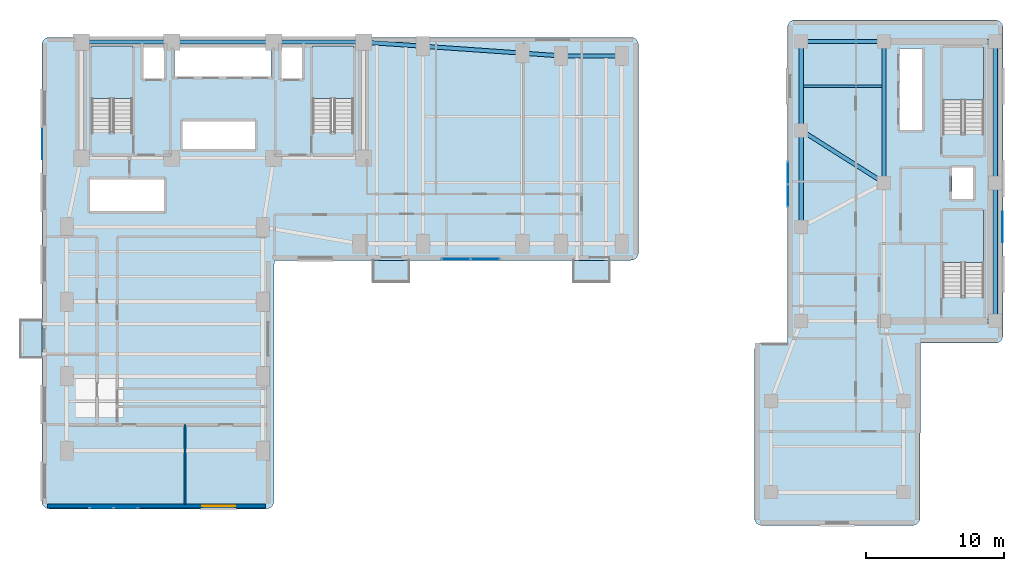
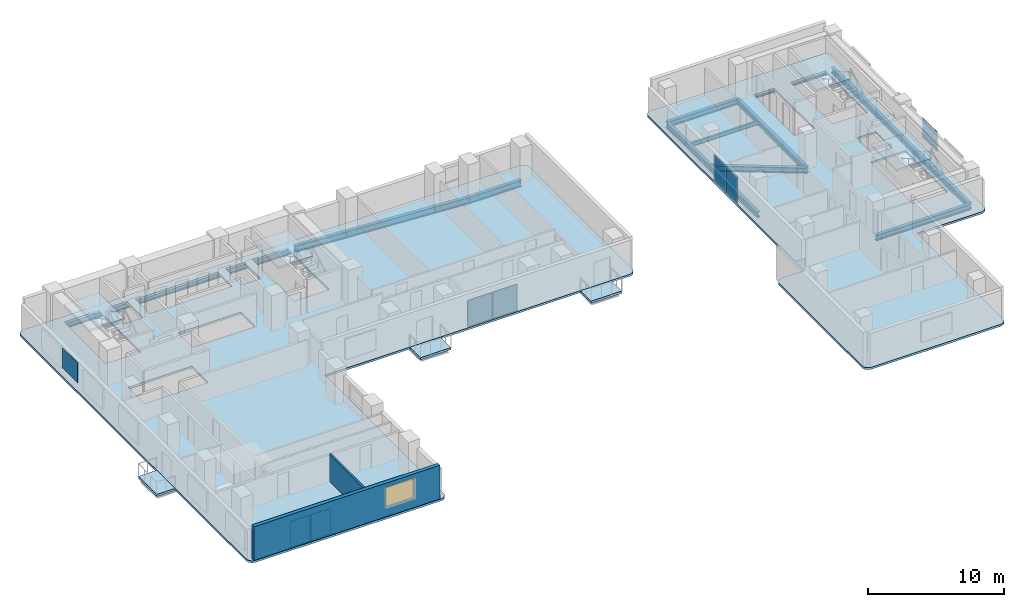
# One storey, part 9 of 17: 17 beams, 9 slabs, 8 plates, 2 walls, 1 window, 1 opening, 7 elements without a shape of their own.
"""IFC4 building model written with IfcOpenShell, lengths in metres."""

from ifc_helpers import new_model, si_unit, direction, frame, frame_2d, origin, origin_2d, place, context, subcontext, project, spatial, polyline, rectangle, i_section, outline, extrude, material, layer, layer_set, material_profile, profile_set, type_object, element, fill, aggregate, save


model = new_model("IFC4")

# Units and contexts
model_context = context("Model", 3, precision=1e-05, world=origin(), true_north=direction((0.0, 1.0)))
body_context = subcontext(model_context, "Body", "Model", "MODEL_VIEW")
ifc_project = project(units=[si_unit("LENGTHUNIT", "METRE"), si_unit("AREAUNIT", "SQUARE_METRE"), si_unit("VOLUMEUNIT", "CUBIC_METRE"), si_unit("PLANEANGLEUNIT", "RADIAN"), si_unit("MASSUNIT", "GRAM", prefix="KILO")], contexts=[model_context])

# Site, building, storey
site_placement = place(None, origin())
site = spatial("IfcSite", under=ifc_project, at=site_placement, CompositionType="ELEMENT")
building_placement = place(site_placement, origin())
building = spatial("IfcBuilding", under=site, at=building_placement, Name="Kuzgunbayir Cultural Tower", CompositionType="ELEMENT")
storey_placement = place(building_placement, frame((0.0, 0.0, 46.800048828125)))
storey = spatial("IfcBuildingStorey", under=building, at=storey_placement, Name="L12", CompositionType="ELEMENT", Elevation=46.800048828125)

# Beams
ifc_material_1 = material(Name="Steel S355J2", Category="steel")
ifc_material_profile_1 = material_profile(ifc_material_1, i_section(OverallWidth=0.300048828125, OverallDepth=0.5, WebThickness=0.014404296875, FlangeThickness=0.028076171875, FilletRadius=0.027099609375, at=origin_2d()), Name="HEB 500")
ifc_profile_set_1 = profile_set([ifc_material_profile_1], Name="Steel S355J2")
beam_type_1 = type_object("IfcBeamType", Name="BM-EXT-HEB500", PredefinedType="BEAM", material=ifc_profile_set_1)
beam_1_placement = place(storey_placement, frame((58.60009765625, 28.800048828125, -0.429931640625), z_axis=(0.0, 1.0, 0.0), x_axis=(-1.0, 0.0, 0.0)))
element("IfcBeam", 1, at=beam_1_placement, inside=storey, type_object=beam_type_1, Name="L12 Companion West Girder", PredefinedType="BEAM", context=body_context, shape_type="SweptSolid", body=[
    extrude(i_section(OverallWidth=0.300048828125, OverallDepth=0.5, WebThickness=0.014404296875, FlangeThickness=0.028076171875, FilletRadius=0.027099609375, at=origin_2d()), origin(), (0.0, 0.0, 1.0), 7.0),
])
beam_2_placement = place(storey_placement, frame((58.60009765625, 35.800048828125, -0.429931640625), z_axis=(0.0, 1.0, 0.0), x_axis=(-1.0, 0.0, 0.0)))
element("IfcBeam", 2, at=beam_2_placement, inside=storey, type_object=beam_type_1, Name="L12 Companion West Girder", PredefinedType="BEAM", context=body_context, shape_type="SweptSolid", body=[
    extrude(i_section(OverallWidth=0.300048828125, OverallDepth=0.5, WebThickness=0.014404296875, FlangeThickness=0.028076171875, FilletRadius=0.027099609375, at=origin_2d()), origin(), (0.0, 0.0, 1.0), 6.449951171875),
])
ifc_material_profile_2 = material_profile(ifc_material_1, i_section(OverallWidth=0.300048828125, OverallDepth=0.60009765625, WebThickness=0.015380859375, FlangeThickness=0.030029296875, FilletRadius=0.027099609375, at=origin_2d()), Name="HEB 600")
ifc_profile_set_2 = profile_set([ifc_material_profile_2], Name="Steel S355J2")
beam_type_2 = type_object("IfcBeamType", Name="BM-EXT-HEB600", PredefinedType="BEAM", material=ifc_profile_set_2)
beam_3_placement = place(storey_placement, frame((26.89990234375, 42.199951171875, -0.47998046875), z_axis=(0.997574369175, -0.069608749203, 0.0), x_axis=(0.069608749203, 0.997574369175, 0.0)))
element("IfcBeam", 3, at=beam_3_placement, inside=storey, type_object=beam_type_2, Name="L12 Wing B North Girder 1", PredefinedType="BEAM", context=body_context, shape_type="SweptSolid", body=[
    extrude(i_section(OverallWidth=0.300048828125, OverallDepth=0.60009765625, WebThickness=0.015380859375, FlangeThickness=0.030029296875, FilletRadius=0.027099609375, at=origin_2d()), origin(), (0.0, 0.0, 1.0), 4.310546875),
])
beam_4_placement = place(storey_placement, frame((31.199951171875, 41.89990234375, -0.47998046875), z_axis=(0.997597388498, -0.069278066245, 0.0), x_axis=(0.069278066245, 0.997597388498, 0.0)))
element("IfcBeam", 4, at=beam_4_placement, inside=storey, type_object=beam_type_2, Name="L12 Wing B North Girder 2", PredefinedType="BEAM", context=body_context, shape_type="SweptSolid", body=[
    extrude(i_section(OverallWidth=0.300048828125, OverallDepth=0.60009765625, WebThickness=0.015380859375, FlangeThickness=0.030029296875, FilletRadius=0.027099609375, at=origin_2d()), origin(), (0.0, 0.0, 1.0), 7.21728515625),
])
beam_5_placement = place(storey_placement, frame((38.39990234375, 41.39990234375, -0.47998046875), z_axis=(0.997460024076, -0.071228508128, 0.0), x_axis=(0.071228508128, 0.997460024076, 0.0)))
element("IfcBeam", 5, at=beam_5_placement, inside=storey, type_object=beam_type_2, Name="L12 Wing B North Girder 3", PredefinedType="BEAM", context=body_context, shape_type="SweptSolid", body=[
    extrude(i_section(OverallWidth=0.300048828125, OverallDepth=0.60009765625, WebThickness=0.015380859375, FlangeThickness=0.030029296875, FilletRadius=0.027099609375, at=origin_2d()), origin(), (0.0, 0.0, 1.0), 2.80712890625),
])
beam_6_placement = place(storey_placement, frame((41.199951171875, 41.199951171875, -0.47998046875), z_axis=(1.0, 0.0, 0.0), x_axis=(0.0, 1.0, 0.0)))
element("IfcBeam", 6, at=beam_6_placement, inside=storey, type_object=beam_type_2, Name="L12 Wing B North Girder 4", PredefinedType="BEAM", context=body_context, shape_type="SweptSolid", body=[
    extrude(i_section(OverallWidth=0.300048828125, OverallDepth=0.60009765625, WebThickness=0.015380859375, FlangeThickness=0.030029296875, FilletRadius=0.027099609375, at=origin_2d()), origin(), (0.0, 0.0, 1.0), 4.400146484375),
])
ifc_material_profile_3 = material_profile(ifc_material_1, i_section(OverallWidth=0.300048828125, OverallDepth=0.5, WebThickness=0.014404296875, FlangeThickness=0.028076171875, FilletRadius=0.027099609375, at=origin_2d()), Name="HEB 500")
ifc_profile_set_3 = profile_set([ifc_material_profile_3], Name="Steel S355J2")
beam_type_3 = type_object("IfcBeamType", Name="BM-GIR-HEB500", PredefinedType="BEAM", material=ifc_profile_set_3)
beam_7_placement = place(storey_placement, frame((58.60009765625, 35.800048828125, -0.429931640625), z_axis=(0.844815967829, -0.535056988088, 0.0), x_axis=(0.535056988088, 0.844815967829, 0.0)))
element("IfcBeam", 7, at=beam_7_placement, inside=storey, type_object=beam_type_3, Name="L12 Companion Transverse Girder 3", PredefinedType="BEAM", context=body_context, shape_type="SweptSolid", body=[
    extrude(i_section(OverallWidth=0.300048828125, OverallDepth=0.5, WebThickness=0.014404296875, FlangeThickness=0.028076171875, FilletRadius=0.027099609375, at=origin_2d()), origin(), (0.0, 0.0, 1.0), 7.10205078125),
])
beam_8_placement = place(storey_placement, frame((58.60009765625, 42.25, -0.429931640625), z_axis=(1.0, 0.0, 0.0), x_axis=(0.0, 1.0, 0.0)))
element("IfcBeam", 8, at=beam_8_placement, inside=storey, type_object=beam_type_3, Name="L12 Companion Transverse Girder 4", PredefinedType="BEAM", context=body_context, shape_type="SweptSolid", body=[
    extrude(i_section(OverallWidth=0.300048828125, OverallDepth=0.5, WebThickness=0.014404296875, FlangeThickness=0.028076171875, FilletRadius=0.027099609375, at=origin_2d()), origin(), (0.0, 0.0, 1.0), 6.0),
])
beam_9_placement = place(storey_placement, frame((64.60009765625, 32.0, -0.429931640625), z_axis=(0.0, 1.0, 0.0), x_axis=(-1.0, 0.0, 0.0)))
element("IfcBeam", 9, at=beam_9_placement, inside=storey, type_object=beam_type_3, Name="L12 Companion Core West Girder 2", PredefinedType="BEAM", context=body_context, shape_type="SweptSolid", body=[
    extrude(i_section(OverallWidth=0.300048828125, OverallDepth=0.5, WebThickness=0.014404296875, FlangeThickness=0.028076171875, FilletRadius=0.027099609375, at=origin_2d()), origin(), (0.0, 0.0, 1.0), 10.25),
])
beam_10_placement = place(storey_placement, frame((72.64990234375, 22.0, -0.429931640625), z_axis=(0.0, 1.0, 0.0), x_axis=(-1.0, 0.0, 0.0)))
element("IfcBeam", 10, at=beam_10_placement, inside=storey, type_object=beam_type_3, Name="L12 Companion Core East Girder 1", PredefinedType="BEAM", context=body_context, shape_type="SweptSolid", body=[
    extrude(i_section(OverallWidth=0.300048828125, OverallDepth=0.5, WebThickness=0.014404296875, FlangeThickness=0.028076171875, FilletRadius=0.027099609375, at=origin_2d()), origin(), (0.0, 0.0, 1.0), 10.0),
])
beam_11_placement = place(storey_placement, frame((72.64990234375, 32.0, -0.429931640625), z_axis=(0.0, 1.0, 0.0), x_axis=(-1.0, 0.0, 0.0)))
element("IfcBeam", 11, at=beam_11_placement, inside=storey, type_object=beam_type_3, Name="L12 Companion Core East Girder 2", PredefinedType="BEAM", context=body_context, shape_type="SweptSolid", body=[
    extrude(i_section(OverallWidth=0.300048828125, OverallDepth=0.5, WebThickness=0.014404296875, FlangeThickness=0.028076171875, FilletRadius=0.027099609375, at=origin_2d()), origin(), (0.0, 0.0, 1.0), 10.25),
])
for number, where, z_axis, x_axis, name in (
    (12, (64.60009765625, 22.0, -0.429931640625), (1.0, 0.0, 0.0), (0.0, 1.0, 0.0), "L12 Companion Core South Girder"),
    (13, (64.60009765625, 42.25, -0.429931640625), (1.0, 0.0, 0.0), (0.0, 1.0, 0.0), "L12 Companion Core North Girder"),
):
    element("IfcBeam", number, at=place(storey_placement, frame(where, z_axis=z_axis, x_axis=x_axis)), inside=storey, type_object=beam_type_3, Name=name, PredefinedType="BEAM", context=body_context, shape_type="SweptSolid", body=[
        extrude(i_section(OverallWidth=0.300048828125, OverallDepth=0.5, WebThickness=0.014404296875, FlangeThickness=0.028076171875, FilletRadius=0.027099609375, at=origin_2d()), origin(), (0.0, 0.0, 1.0), 8.0498046875),
    ])
ifc_material_profile_4 = material_profile(ifc_material_1, i_section(OverallWidth=0.300048828125, OverallDepth=0.60009765625, WebThickness=0.015380859375, FlangeThickness=0.030029296875, FilletRadius=0.027099609375, at=origin_2d()), Name="HEB 600")
ifc_profile_set_4 = profile_set([ifc_material_profile_4], Name="Steel S355J2")
beam_type_4 = type_object("IfcBeamType", Name="BM-GIR-HEB600", PredefinedType="BEAM", material=ifc_profile_set_4)
beam_12_placement = place(storey_placement, frame((6.449951171875, 42.199951171875, -0.47998046875), z_axis=(1.0, 0.0, 0.0), x_axis=(0.0, 1.0, 0.0)))
element("IfcBeam", 14, at=beam_12_placement, inside=storey, type_object=beam_type_4, Name="L12 Core North Girder 1", PredefinedType="BEAM", context=body_context, shape_type="SweptSolid", body=[
    extrude(i_section(OverallWidth=0.300048828125, OverallDepth=0.60009765625, WebThickness=0.015380859375, FlangeThickness=0.030029296875, FilletRadius=0.027099609375, at=origin_2d()), origin(), (0.0, 0.0, 1.0), 6.550048828125),
])
beam_13_placement = place(storey_placement, frame((13.0, 42.199951171875, -0.47998046875), z_axis=(1.0, 0.0, 0.0), x_axis=(0.0, 1.0, 0.0)))
element("IfcBeam", 15, at=beam_13_placement, inside=storey, type_object=beam_type_4, Name="L12 Core North Girder 2", PredefinedType="BEAM", context=body_context, shape_type="SweptSolid", body=[
    extrude(i_section(OverallWidth=0.300048828125, OverallDepth=0.60009765625, WebThickness=0.015380859375, FlangeThickness=0.030029296875, FilletRadius=0.027099609375, at=origin_2d()), origin(), (0.0, 0.0, 1.0), 7.39990234375),
])
beam_14_placement = place(storey_placement, frame((20.39990234375, 42.199951171875, -0.47998046875), z_axis=(1.0, 0.0, 0.0), x_axis=(0.0, 1.0, 0.0)))
element("IfcBeam", 16, at=beam_14_placement, inside=storey, type_object=beam_type_4, Name="L12 Core North Girder 3", PredefinedType="BEAM", context=body_context, shape_type="SweptSolid", body=[
    extrude(i_section(OverallWidth=0.300048828125, OverallDepth=0.60009765625, WebThickness=0.015380859375, FlangeThickness=0.030029296875, FilletRadius=0.027099609375, at=origin_2d()), origin(), (0.0, 0.0, 1.0), 6.5),
])
ifc_material_profile_5 = material_profile(ifc_material_1, i_section(OverallWidth=0.169921875, OverallDepth=0.360107421875, WebThickness=0.008056640625, FlangeThickness=0.0126953125, FilletRadius=0.01806640625, at=origin_2d()), Name="IPE 360")
ifc_profile_set_5 = profile_set([ifc_material_profile_5], Name="Steel S355J2")
beam_type_5 = type_object("IfcBeamType", Name="BM-JST-IPE360", PredefinedType="JOIST", material=ifc_profile_set_5)
beam_15_placement = place(storey_placement, frame((58.75, 39.0, -0.360107421875), z_axis=(1.0, 0.0, 0.0), x_axis=(0.0, 1.0, 0.0)))
element("IfcBeam", 17, at=beam_15_placement, inside=storey, type_object=beam_type_5, Name="L12 Companion Joist", PredefinedType="JOIST", context=body_context, shape_type="SweptSolid", body=[
    extrude(i_section(OverallWidth=0.169921875, OverallDepth=0.360107421875, WebThickness=0.008056640625, FlangeThickness=0.0126953125, FilletRadius=0.01806640625, at=origin_2d()), origin(), (0.0, 0.0, 1.0), 5.699951171875),
])

# Curtain wall, plates
ifc_material_2 = material(Name="Anodised Aluminium Framing", Category="aluminium")
curtain_wall_type_1 = type_object("IfcCurtainWallType", Name="CW03-T1-OFFICE", PredefinedType="NOTDEFINED", material=ifc_material_2)
curtain_wall_1_placement = place(storey_placement, origin())
curtain_wall_1 = element("IfcCurtainWall", 18, at=curtain_wall_1_placement, inside=storey, type_object=curtain_wall_type_1, Name="L12 Wing A South Feature Curtain Wall", PredefinedType="NOTDEFINED")
ifc_material_3 = material(Name="Solar-Control Triple Glazing", Category="glass")
ifc_layer_1 = layer(ifc_material_3, 0.035888671875)
ifc_layer_set_1 = layer_set([ifc_layer_1], Name="Solar-Control Triple Glazing")
plate_type_1 = type_object("IfcPlateType", Name="PLT-CW-GLASS-36", PredefinedType="CURTAIN_PANEL", material=ifc_layer_set_1)
plate_1_placement = place(storey_placement, frame((7.918701171875, 8.47998046875, 0.059814453125), z_axis=(0.0, 0.0, 1.0), x_axis=(1.0, 0.0, 0.0)))
plate_1 = element("IfcPlate", 19, at=plate_1_placement, type_object=plate_type_1, Name="CW03 panel 1.1", PredefinedType="CURTAIN_PANEL", context=body_context, shape_type="SweptSolid", body=[
    extrude(rectangle(XDim=1.6875, YDim=0.035888671875, at=origin_2d()), origin(), (0.0, 0.0, 1.0), 2.35009765625),
])
plate_2_placement = place(storey_placement, frame((9.68115234375, 8.47998046875, 0.059814453125), z_axis=(0.0, 0.0, 1.0), x_axis=(1.0, 0.0, 0.0)))
plate_2 = element("IfcPlate", 20, at=plate_2_placement, type_object=plate_type_1, Name="CW03 panel 2.1", PredefinedType="CURTAIN_PANEL", context=body_context, shape_type="SweptSolid", body=[
    extrude(rectangle(XDim=1.6875, YDim=0.035888671875, at=origin_2d()), origin(), (0.0, 0.0, 1.0), 2.35009765625),
])
aggregate(curtain_wall_1, [plate_1, plate_2])

curtain_wall_2_placement = place(storey_placement, origin())
curtain_wall_2 = element("IfcCurtainWall", 21, at=curtain_wall_2_placement, inside=storey, type_object=curtain_wall_type_1, Name="L12 Wing B South Feature Curtain Wall", PredefinedType="NOTDEFINED")
plate_3_placement = place(storey_placement, frame((33.59375, 26.47998046875, 0.059814453125), z_axis=(0.0, 0.0, 1.0), x_axis=(1.0, 0.0, 0.0)))
plate_3 = element("IfcPlate", 22, at=plate_3_placement, type_object=plate_type_1, Name="CW03 panel 1.1", PredefinedType="CURTAIN_PANEL", context=body_context, shape_type="SweptSolid", body=[
    extrude(rectangle(XDim=2.03759765625, YDim=0.035888671875, at=origin_2d()), origin(), (0.0, 0.0, 1.0), 2.35009765625),
])
plate_4_placement = place(storey_placement, frame((35.706298828125, 26.47998046875, 0.059814453125), z_axis=(0.0, 0.0, 1.0), x_axis=(1.0, 0.0, 0.0)))
plate_4 = element("IfcPlate", 23, at=plate_4_placement, type_object=plate_type_1, Name="CW03 panel 2.1", PredefinedType="CURTAIN_PANEL", context=body_context, shape_type="SweptSolid", body=[
    extrude(rectangle(XDim=2.03759765625, YDim=0.035888671875, at=origin_2d()), origin(), (0.0, 0.0, 1.0), 2.35009765625),
])
aggregate(curtain_wall_2, [plate_3, plate_4])

curtain_wall_type_2 = type_object("IfcCurtainWallType", Name="CW04-T2-CULTURAL", PredefinedType="NOTDEFINED", material=ifc_material_2)
curtain_wall_3_placement = place(storey_placement, origin())
curtain_wall_3 = element("IfcCurtainWall", 24, at=curtain_wall_3_placement, inside=storey, type_object=curtain_wall_type_2, Name="L12 Companion Cultural Curtain Wall", PredefinedType="NOTDEFINED")
plate_5_placement = place(storey_placement, frame((57.6201171875, 31.06494140625, 0.059814453125), z_axis=(0.0, 0.0, 1.0), x_axis=(0.0, 1.0, 0.0)))
plate_5 = element("IfcPlate", 25, at=plate_5_placement, type_object=plate_type_1, Name="CW04 panel 1.1", PredefinedType="CURTAIN_PANEL", context=body_context, shape_type="SweptSolid", body=[
    extrude(rectangle(XDim=1.610107421875, YDim=0.035888671875, at=origin_2d()), origin(), (0.0, 0.0, 1.0), 2.35009765625),
])
plate_6_placement = place(storey_placement, frame((57.6201171875, 32.735107421875, 0.059814453125), z_axis=(0.0, 0.0, 1.0), x_axis=(0.0, 1.0, 0.0)))
plate_6 = element("IfcPlate", 26, at=plate_6_placement, type_object=plate_type_1, Name="CW04 panel 2.1", PredefinedType="CURTAIN_PANEL", context=body_context, shape_type="SweptSolid", body=[
    extrude(rectangle(XDim=1.610107421875, YDim=0.035888671875, at=origin_2d()), origin(), (0.0, 0.0, 1.0), 2.35009765625),
])
aggregate(curtain_wall_3, [plate_5, plate_6])

# Plates
ifc_material_4 = material(Name="Perforated Bronze-Anodised Aluminium", Category="aluminium")
ifc_layer_2 = layer(ifc_material_4, 0.02392578125)
ifc_layer_set_2 = layer_set([ifc_layer_2], Name="Perforated Bronze-Anodised Aluminium")
plate_type_2 = type_object("IfcPlateType", Name="PLT-SOLAR-SCREEN-14", PredefinedType="SHEET", material=ifc_layer_set_2)
for number, where, z_axis, x_axis, name in (
    (27, (3.6298828125, 34.800048828125, 0.75), (0.0, 0.0, 1.0), (1.0, 0.0, 0.0), "L12 Tower 1 Perforated Ceramic Solar Screen Panel"),
    (28, (73.169921875, 28.800048828125, 0.75), (0.0, 0.0, 1.0), (1.0, 0.0, 0.0), "L12 Companion Perforated Ceramic Solar Screen Panel"),
):
    element("IfcPlate", number, at=place(storey_placement, frame(where, z_axis=z_axis, x_axis=x_axis)), inside=storey, type_object=plate_type_2, Name=name, PredefinedType="SHEET", context=body_context, shape_type="SweptSolid", body=[
        extrude(rectangle(XDim=0.02392578125, YDim=2.199951171875, at=origin_2d()), origin(), (0.0, 0.0, 1.0), 1.800048828125),
    ])

# Slabs
ifc_material_5 = material(Name="Concrete C40/50", Category="concrete")
ifc_layer_3 = layer(ifc_material_5, 0.199951171875)
ifc_layer_set_3 = layer_set([ifc_layer_3], Name="Concrete C40/50")
slab_type_1 = type_object("IfcSlabType", Name="SLB-BAL-STONE", PredefinedType="FLOOR", material=ifc_layer_set_3)
slab_1_placement = place(storey_placement, frame((0.0, 0.0, -0.199951171875)))
element("IfcSlab", 29, at=slab_1_placement, inside=storey, type_object=slab_type_1, Name="L12 Projecting Limestone Balcony BAL-L12-WA2", PredefinedType="FLOOR", context=body_context, shape_type="SweptSolid", body=[
    extrude(outline(polyline([(2.0400390625, 19.35009765625), (3.60009765625, 19.35009765625), (3.60009765625, 22.050048828125), (2.0400390625, 22.050048828125), (2.0400390625, 19.35009765625)])), origin(), (0.0, 0.0, 1.0), 0.199951171875),
])
slab_2_placement = place(storey_placement, frame((0.0, 0.0, -0.199951171875)))
element("IfcSlab", 30, at=slab_2_placement, inside=storey, type_object=slab_type_1, Name="L12 Projecting Limestone Balcony BAL-L12-WB1", PredefinedType="FLOOR", context=body_context, shape_type="SweptSolid", body=[
    extrude(outline(polyline([(27.60009765625, 24.840087890625), (30.199951171875, 24.840087890625), (30.199951171875, 26.39990234375), (27.60009765625, 26.39990234375), (27.60009765625, 24.840087890625)])), origin(), (0.0, 0.0, 1.0), 0.199951171875),
])
slab_3_placement = place(storey_placement, frame((0.0, 0.0, -0.199951171875)))
element("IfcSlab", 31, at=slab_3_placement, inside=storey, type_object=slab_type_1, Name="L12 Projecting Limestone Balcony BAL-L12-WB3", PredefinedType="FLOOR", context=body_context, shape_type="SweptSolid", body=[
    extrude(outline(polyline([(42.10009765625, 24.840087890625), (44.699951171875, 24.840087890625), (44.699951171875, 26.39990234375), (42.10009765625, 26.39990234375), (42.10009765625, 24.840087890625)])), origin(), (0.0, 0.0, 1.0), 0.199951171875),
])

# Stair, slab
stair_type = type_object("IfcStairType", Name="STR-EXIT-CORE", PredefinedType="HALF_TURN_STAIR", material=ifc_material_5)
stair_1_placement = place(storey_placement, origin())
stair_1 = element("IfcStair", 32, at=stair_1_placement, inside=storey, type_object=stair_type, Name="L12 ST-1", PredefinedType="HALF_TURN_STAIR")
ifc_layer_4 = layer(ifc_material_5, 0.179931640625)
ifc_layer_set_4 = layer_set([ifc_layer_4], Name="Concrete C40/50")
slab_type_2 = type_object("IfcSlabType", Name="SLB-LANDING-180", PredefinedType="LANDING", material=ifc_layer_set_4)
slab_4_placement = place(storey_placement, frame((0.0, 0.0, 1.39990234375)))
slab_4 = element("IfcSlab", 33, at=slab_4_placement, type_object=slab_type_2, Name="ST-1 landing 1", PredefinedType="LANDING", context=body_context, shape_type="SweptSolid", body=[
    extrude(outline(polyline([(10.159912109375, 38.1201171875), (10.159912109375, 41.89990234375), (7.199951171875, 41.89990234375), (7.199951171875, 38.1201171875), (10.159912109375, 38.1201171875)])), origin(), (0.0, 0.0, 1.0), 0.199951171875),
])
aggregate(stair_1, [slab_4])

stair_2_placement = place(storey_placement, origin())
stair_2 = element("IfcStair", 34, at=stair_2_placement, inside=storey, type_object=stair_type, Name="L12 ST-2", PredefinedType="HALF_TURN_STAIR")
slab_5_placement = place(storey_placement, frame((0.0, 0.0, 1.39990234375)))
slab_5 = element("IfcSlab", 35, at=slab_5_placement, type_object=slab_type_2, Name="ST-2 landing 1", PredefinedType="LANDING", context=body_context, shape_type="SweptSolid", body=[
    extrude(outline(polyline([(26.159912109375, 38.1201171875), (26.159912109375, 41.89990234375), (23.199951171875, 41.89990234375), (23.199951171875, 38.1201171875), (26.159912109375, 38.1201171875)])), origin(), (0.0, 0.0, 1.0), 0.199951171875),
])
aggregate(stair_2, [slab_5])

stair_3_placement = place(storey_placement, origin())
stair_3 = element("IfcStair", 36, at=stair_3_placement, inside=storey, type_object=stair_type, Name="L12 ST-3", PredefinedType="HALF_TURN_STAIR")
slab_6_placement = place(storey_placement, frame((0.0, 0.0, 1.39990234375)))
slab_6 = element("IfcSlab", 37, at=slab_6_placement, type_object=slab_type_2, Name="ST-3 landing 1", PredefinedType="LANDING", context=body_context, shape_type="SweptSolid", body=[
    extrude(outline(polyline([(71.800048828125, 26.219970703125), (71.800048828125, 30.0), (68.840087890625, 30.0), (68.840087890625, 26.219970703125), (71.800048828125, 26.219970703125)])), origin(), (0.0, 0.0, 1.0), 0.199951171875),
])
aggregate(stair_3, [slab_6])

stair_4_placement = place(storey_placement, origin())
stair_4 = element("IfcStair", 38, at=stair_4_placement, inside=storey, type_object=stair_type, Name="L12 ST-4", PredefinedType="HALF_TURN_STAIR")
slab_7_placement = place(storey_placement, frame((0.0, 0.0, 1.39990234375)))
slab_7 = element("IfcSlab", 39, at=slab_7_placement, type_object=slab_type_2, Name="ST-4 landing 1", PredefinedType="LANDING", context=body_context, shape_type="SweptSolid", body=[
    extrude(outline(polyline([(71.800048828125, 38.02001953125), (71.800048828125, 41.800048828125), (68.840087890625, 41.800048828125), (68.840087890625, 38.02001953125), (71.800048828125, 38.02001953125)])), origin(), (0.0, 0.0, 1.0), 0.199951171875),
])
aggregate(stair_4, [slab_7])

# Slabs
ifc_layer_5 = layer(ifc_material_5, 0.179931640625)
ifc_layer_set_5 = layer_set([ifc_layer_5], Name="Concrete C40/50")
slab_type_3 = type_object("IfcSlabType", Name="SLB-TYP-180", PredefinedType="FLOOR", material=ifc_layer_set_5)
slab_8_placement = place(storey_placement, frame((0.0, 0.0, -0.179931640625)))
element("IfcSlab", 40, at=slab_8_placement, inside=storey, type_object=slab_type_3, Name="L12 Tower 1 Floor Slab T1-MAIN", PredefinedType="FLOOR", context=body_context, shape_type="SweptSolid", body=[
    extrude(outline(polyline([(20.39990234375, 8.949951171875), (20.389892578125, 8.840087890625), (20.360107421875, 8.739990234375), (20.31005859375, 8.639892578125), (20.239990234375, 8.56005859375), (20.159912109375, 8.489990234375), (20.06005859375, 8.43994140625), (19.9599609375, 8.409912109375), (19.85009765625, 8.39990234375), (4.14990234375, 8.39990234375), (4.0400390625, 8.409912109375), (3.93994140625, 8.43994140625), (3.840087890625, 8.489990234375), (3.760009765625, 8.56005859375), (3.68994140625, 8.639892578125), (3.639892578125, 8.739990234375), (3.610107421875, 8.840087890625), (3.60009765625, 8.949951171875), (3.60009765625, 42.0), (3.610107421875, 42.110107421875), (3.639892578125, 42.2099609375), (3.68994140625, 42.31005859375), (3.760009765625, 42.389892578125), (3.840087890625, 42.4599609375), (3.93994140625, 42.510009765625), (4.0400390625, 42.5400390625), (4.14990234375, 42.550048828125), (46.25, 42.550048828125), (46.360107421875, 42.5400390625), (46.4599609375, 42.510009765625), (46.56005859375, 42.4599609375), (46.639892578125, 42.389892578125), (46.7099609375, 42.31005859375), (46.760009765625, 42.2099609375), (46.7900390625, 42.110107421875), (46.800048828125, 42.0), (46.800048828125, 26.949951171875), (46.7900390625, 26.840087890625), (46.760009765625, 26.739990234375), (46.7099609375, 26.639892578125), (46.639892578125, 26.56005859375), (46.56005859375, 26.489990234375), (46.4599609375, 26.43994140625), (46.360107421875, 26.409912109375), (46.25, 26.39990234375), (20.429931640625, 26.39990234375), (20.39990234375, 8.949951171875)]), holes=[polyline([(7.199951171875, 35.760009765625), (7.199951171875, 41.89990234375), (10.159912109375, 41.89990234375), (10.159912109375, 35.760009765625), (7.199951171875, 35.760009765625)]), polyline([(23.199951171875, 35.760009765625), (23.199951171875, 41.89990234375), (26.159912109375, 41.89990234375), (26.159912109375, 35.760009765625), (23.199951171875, 35.760009765625)]), polyline([(13.199951171875, 39.699951171875), (13.199951171875, 41.800048828125), (20.199951171875, 41.800048828125), (20.199951171875, 39.699951171875), (13.199951171875, 39.699951171875)]), polyline([(13.75, 34.39990234375), (13.75, 36.5), (19.080078125, 36.5), (19.080078125, 34.39990234375), (13.75, 34.39990234375)]), polyline([(7.10009765625, 29.89990234375), (7.10009765625, 32.300048828125), (12.5, 32.300048828125), (12.5, 29.89990234375), (7.10009765625, 29.89990234375)]), polyline([(10.89990234375, 39.5), (10.89990234375, 41.89990234375), (12.5, 41.89990234375), (12.5, 39.5), (10.89990234375, 39.5)]), polyline([(20.89990234375, 39.5), (20.89990234375, 41.89990234375), (22.5, 41.89990234375), (22.5, 39.5), (20.89990234375, 39.5)])]), origin(), (0.0, 0.0, 1.0), 0.179931640625),
])
slab_9_placement = place(storey_placement, frame((0.0, 0.0, -0.179931640625)))
element("IfcSlab", 41, at=slab_9_placement, inside=storey, type_object=slab_type_3, Name="L12 Companion Tower 2 Floor Slab", PredefinedType="FLOOR", context=body_context, shape_type="SweptSolid", body=[
    extrude(outline(polyline([(57.60009765625, 20.39990234375), (57.60009765625, 43.25), (57.610107421875, 43.360107421875), (57.639892578125, 43.4599609375), (57.68994140625, 43.56005859375), (57.760009765625, 43.639892578125), (57.840087890625, 43.7099609375), (57.93994140625, 43.760009765625), (58.0400390625, 43.7900390625), (58.14990234375, 43.800048828125), (72.64990234375, 43.800048828125), (72.760009765625, 43.7900390625), (72.860107421875, 43.760009765625), (72.9599609375, 43.7099609375), (73.0400390625, 43.639892578125), (73.110107421875, 43.56005859375), (73.159912109375, 43.4599609375), (73.18994140625, 43.360107421875), (73.199951171875, 43.25), (73.199951171875, 20.949951171875), (73.18994140625, 20.840087890625), (73.159912109375, 20.739990234375), (73.110107421875, 20.639892578125), (73.0400390625, 20.56005859375), (72.9599609375, 20.489990234375), (72.860107421875, 20.43994140625), (72.760009765625, 20.409912109375), (72.64990234375, 20.39990234375), (67.22998046875, 20.39990234375), (67.199951171875, 7.75), (67.18994140625, 7.639892578125), (67.159912109375, 7.5400390625), (67.110107421875, 7.43994140625), (67.0400390625, 7.360107421875), (66.9599609375, 7.2900390625), (66.860107421875, 7.239990234375), (66.760009765625, 7.2099609375), (66.64990234375, 7.199951171875), (55.75, 7.199951171875), (55.639892578125, 7.2099609375), (55.5400390625, 7.239990234375), (55.43994140625, 7.2900390625), (55.360107421875, 7.360107421875), (55.2900390625, 7.43994140625), (55.239990234375, 7.5400390625), (55.2099609375, 7.639892578125), (55.199951171875, 7.75), (55.199951171875, 19.85009765625), (55.2099609375, 19.9599609375), (55.239990234375, 20.06005859375), (55.2900390625, 20.159912109375), (55.360107421875, 20.239990234375), (55.43994140625, 20.31005859375), (55.5400390625, 20.360107421875), (55.639892578125, 20.389892578125), (55.75, 20.39990234375), (57.570068359375, 20.39990234375), (57.60009765625, 20.39990234375)]), holes=[polyline([(68.840087890625, 23.860107421875), (68.840087890625, 30.0), (71.800048828125, 30.0), (71.800048828125, 23.860107421875), (68.840087890625, 23.860107421875)]), polyline([(68.840087890625, 35.659912109375), (68.840087890625, 41.800048828125), (71.800048828125, 41.800048828125), (71.800048828125, 35.659912109375), (68.840087890625, 35.659912109375)]), polyline([(65.699951171875, 35.800048828125), (65.699951171875, 41.75), (67.39990234375, 41.75), (67.39990234375, 35.800048828125), (65.699951171875, 35.800048828125)]), polyline([(69.5, 30.800048828125), (69.5, 33.199951171875), (71.10009765625, 33.199951171875), (71.10009765625, 30.800048828125), (69.5, 30.800048828125)])]), origin(), (0.0, 0.0, 1.0), 0.179931640625),
])

# Wall, opening, window
ifc_material_6 = material(Name="Travertine Buff Ashlar", Category="masonry")
ifc_layer_6 = layer(ifc_material_6, 0.320068359375)
ifc_layer_set_6 = layer_set([ifc_layer_6], Name="Travertine Buff Ashlar")
wall_type_1 = type_object("IfcWallType", Name="WAL-EXT-STONE-320", PredefinedType="STANDARD", material=ifc_layer_set_6)
wall_1_placement = place(storey_placement, frame((4.0, 8.60009765625, 0.0), z_axis=(0.0, 0.0, 1.0), x_axis=(1.0, 0.0, 0.0)))
wall_1 = element("IfcWall", 42, at=wall_1_placement, inside=storey, type_object=wall_type_1, Name="L12 Wing A South Limestone Wall", PredefinedType="STANDARD", context=body_context, shape_type="SweptSolid", body=[
    extrude(rectangle(XDim=15.800048828125, YDim=0.320068359375, at=frame_2d((7.89990234375, 0.0))), origin(), (0.0, 0.0, 1.0), 3.02001953125),
])
opening_placement = place(wall_1_placement, frame((11.199951171875, 0.0, 0.85009765625)))
opening = element("IfcOpeningElement", 43, at=opening_placement, cuts=wall_1, Name="Opening WO-24", PredefinedType="OPENING", context=body_context, shape_type="SweptSolid", body=[
    extrude(rectangle(XDim=2.39990234375, YDim=1.800048828125, at=frame_2d((1.199951171875, 0.89990234375))), frame((0.0, 0.169921875, 0.0), z_axis=(0.0, -1.0, 0.0), x_axis=(1.0, 0.0, 0.0)), (0.0, 0.0, 1.0), 0.340087890625),
])
window_type = type_object("IfcWindowType", Name="WIN-OFFICE-24", PartitioningType="SINGLE_PANEL", PredefinedType="WINDOW", material=ifc_material_3)
window_placement = place(opening_placement, origin())
window = element("IfcWindow", 44, at=window_placement, inside=storey, type_object=window_type, Name="L12 WAS Facade Window 8", OverallHeight=1.800048828125, OverallWidth=2.39990234375, PartitioningType="SINGLE_PANEL", PredefinedType="WINDOW", context=body_context, shape_type="SweptSolid", body=[
    extrude(rectangle(XDim=2.39990234375, YDim=1.800048828125, at=frame_2d((1.199951171875, 0.89990234375))), frame((0.0, 0.030029296875, 0.0), z_axis=(0.0, -1.0, 0.0), x_axis=(1.0, 0.0, 0.0)), (0.0, 0.0, 1.0), 0.06005859375),
])
fill(opening, window)

# Wall
ifc_material_7 = material(Name="Acoustic Double-Stud Drywall", Category="gypsum")
ifc_layer_7 = layer(ifc_material_7, 0.14990234375)
ifc_layer_set_7 = layer_set([ifc_layer_7], Name="Acoustic Double-Stud Drywall")
wall_type_2 = type_object("IfcWallType", Name="WAL-PART-ACOUSTIC-150", PredefinedType="PARTITIONING", material=ifc_layer_set_7)
wall_2_placement = place(storey_placement, frame((13.97998046875, 8.699951171875, 0.0), z_axis=(0.0, 0.0, 1.0), x_axis=(0.0, 1.0, 0.0)))
element("IfcWall", 45, at=wall_2_placement, inside=storey, type_object=wall_type_2, Name="L12 South Suite Divider 1", PredefinedType="PARTITIONING", context=body_context, shape_type="SweptSolid", body=[
    extrude(rectangle(XDim=5.800048828125, YDim=0.14990234375, at=frame_2d((2.89990234375, 0.0))), origin(), (0.0, 0.0, 1.0), 2.409912109375),
])

save(model, "model.ifc")
